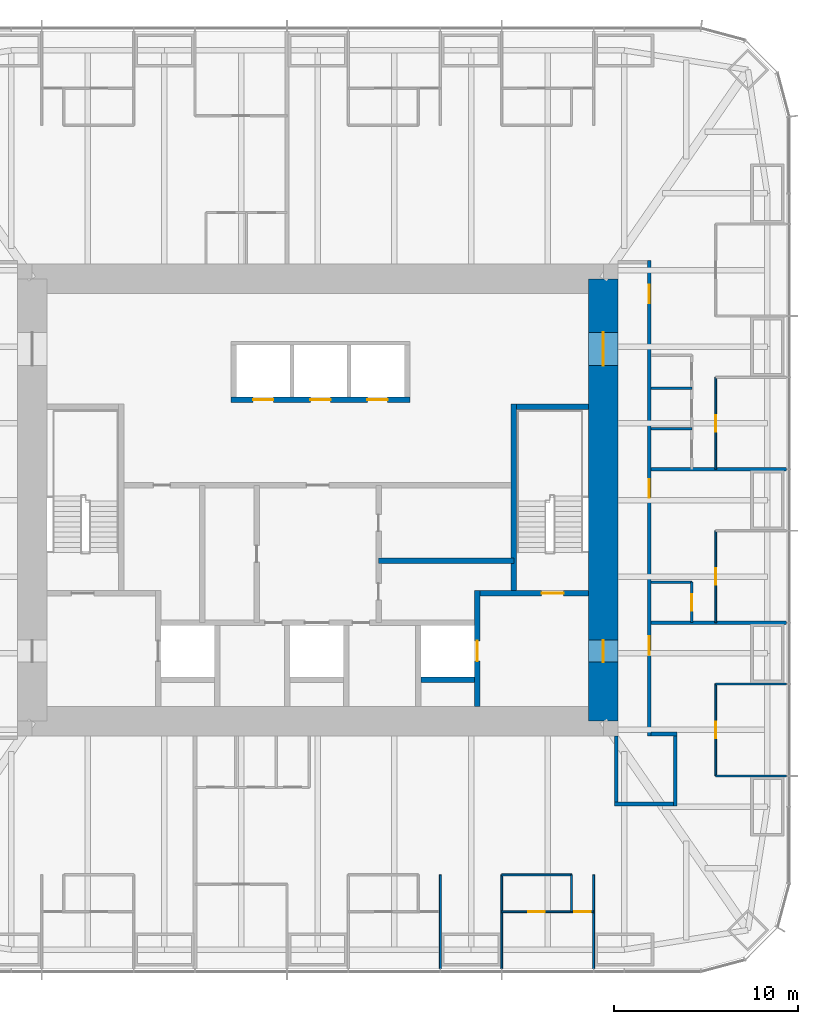
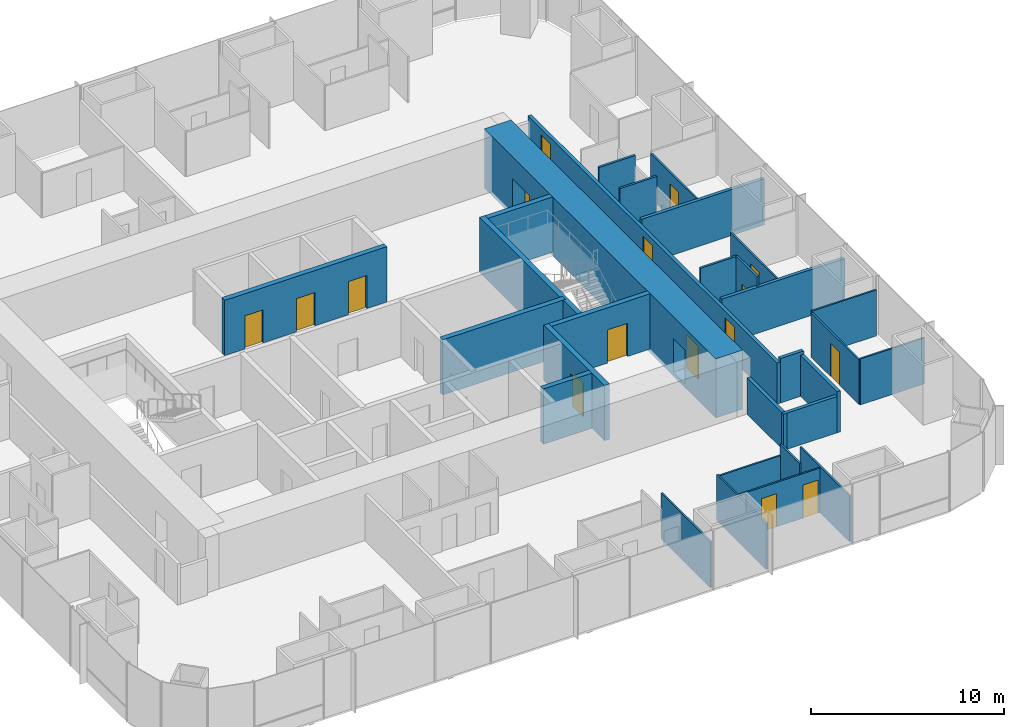
# One storey, part 10 of 13: 30 walls, 16 doors, 16 openings.
"""IFC4 building model written with IfcOpenShell, lengths in metres."""

from ifc_helpers import new_model, si_unit, direction, frame, frame_2d, origin, place, context, subcontext, project, spatial, rectangle, extrude, material, layer, layer_set, type_object, element, fill, save


model = new_model("IFC4")

# Units and contexts
model_context = context("Model", 3, precision=1e-05, world=origin(), true_north=direction((0.0, 1.0)))
body_context = subcontext(model_context, "Body", "Model", "MODEL_VIEW")
ifc_project = project(units=[si_unit("LENGTHUNIT", "METRE"), si_unit("AREAUNIT", "SQUARE_METRE"), si_unit("VOLUMEUNIT", "CUBIC_METRE"), si_unit("PLANEANGLEUNIT", "RADIAN"), si_unit("MASSUNIT", "GRAM", prefix="KILO")], contexts=[model_context])

# Site, building, storey
site_placement = place(None, origin())
site = spatial("IfcSite", under=ifc_project, at=site_placement, CompositionType="ELEMENT")
building_placement = place(site_placement, origin())
building = spatial("IfcBuilding", under=site, at=building_placement, Name="Khuree Lantern Residences", CompositionType="ELEMENT")
storey_placement = place(building_placement, frame((0.0, 0.0, 267.0)))
storey = spatial("IfcBuildingStorey", under=building, at=storey_placement, Name="L67", CompositionType="ELEMENT", Elevation=267.0)

# Wall, opening, door
ifc_material_1 = material(Name="Moisture-resistant gypsum board on steel studs", Category="steel")
ifc_layer_1 = layer(ifc_material_1, 0.125)
ifc_layer_set_1 = layer_set([ifc_layer_1], Name="BATHROOM WALL BTW125")
wall_type_1 = type_object("IfcWallType", Name="BATHROOM WALL BTW125", PredefinedType="PARTITIONING", material=ifc_layer_set_1)
wall_1_placement = place(storey_placement, frame((20.300048828125, -6.656005859375, 0.0), z_axis=(0.0, 0.0, 1.0), x_axis=(0.0, 1.0, 0.0)))
wall_1 = element("IfcWall", 1, at=wall_1_placement, inside=storey, type_object=wall_type_1, Name="L67 BATHROOM WALL 01", PredefinedType="PARTITIONING", context=body_context, shape_type="SweptSolid", body=[
    extrude(rectangle(XDim=2.199951171875, YDim=0.125, at=frame_2d((1.10009765625, 0.0))), origin(), (0.0, 0.0, 1.0), 3.5),
])
opening_1_placement = place(wall_1_placement, frame((0.64990234375, 0.0, 0.0)))
opening_1 = element("IfcOpeningElement", 2, at=opening_1_placement, cuts=wall_1, Name="Opening 67-021", PredefinedType="OPENING", context=body_context, shape_type="SweptSolid", body=[
    extrude(rectangle(XDim=0.89990234375, YDim=2.10009765625, at=frame_2d((0.449951171875, 1.050048828125))), frame((0.0, 0.072509765625, 0.0), z_axis=(0.0, -1.0, 0.0), x_axis=(1.0, 0.0, 0.0)), (0.0, 0.0, 1.0), 0.14501953125),
])
ifc_material_2 = material(Name="Timber door leaf in hardwood frame", Category="wood")
door_type_1 = type_object("IfcDoorType", Name="BATHROOM DOOR 900X2100", OperationType="SINGLE_SWING_LEFT", PredefinedType="DOOR", material=ifc_material_2)
door_1_placement = place(opening_1_placement, origin())
door_1 = element("IfcDoor", 3, at=door_1_placement, inside=storey, type_object=door_type_1, Name="Bathroom door 67-021", OperationType="SINGLE_SWING_LEFT", OverallHeight=2.10009765625, OverallWidth=0.89990234375, PredefinedType="DOOR", context=body_context, shape_type="SweptSolid", body=[
    extrude(rectangle(XDim=0.89990234375, YDim=2.10009765625, at=frame_2d((0.449951171875, 1.050048828125))), frame((0.0, 0.02490234375, 0.0), z_axis=(0.0, -1.0, 0.0), x_axis=(1.0, 0.0, 0.0)), (0.0, 0.0, 1.0), 0.050048828125),
])
fill(opening_1, door_1)

# Walls
for number, where, z_axis, x_axis, name in (
    (4, (18.10009765625, -4.4560546875, 0.0), (0.0, 0.0, 1.0), (1.0, 0.0, 0.0), "L67 BATHROOM WALL 01"),
    (5, (18.10009765625, 3.864013671875, 0.0), (0.0, 0.0, 1.0), (1.0, 0.0, 0.0), "L67 BATHROOM WALL 02"),
    (6, (18.10009765625, 6.06396484375, 0.0), (0.0, 0.0, 1.0), (1.0, 0.0, 0.0), "L67 BATHROOM WALL 02"),
):
    element("IfcWall", number, at=place(storey_placement, frame(where, z_axis=z_axis, x_axis=x_axis)), inside=storey, type_object=wall_type_1, Name=name, PredefinedType="PARTITIONING", context=body_context, shape_type="SweptSolid", body=[
        extrude(rectangle(XDim=2.199951171875, YDim=0.125, at=frame_2d((1.10009765625, 0.0))), origin(), (0.0, 0.0, 1.0), 3.5),
    ])

# Wall, opening, door
ifc_material_3 = material(Name="Dense concrete blockwork", Category="masonry")
ifc_layer_2 = layer(ifc_material_3, 0.300048828125)
ifc_layer_set_2 = layer_set([ifc_layer_2], Name="CORE PARTITION WALL CPW300 EI 120")
wall_type_2 = type_object("IfcWallType", Name="CORE PARTITION WALL CPW300 EI 120", PredefinedType="PARTITIONING", material=ifc_layer_set_2)
wall_2_placement = place(storey_placement, frame((8.64990234375, -11.199951171875, 0.0), z_axis=(0.0, 0.0, 1.0), x_axis=(0.0, 1.0, 0.0)))
wall_2 = element("IfcWall", 7, at=wall_2_placement, inside=storey, type_object=wall_type_2, Name="L67 CORE WALL FL2E", PredefinedType="PARTITIONING", context=body_context, shape_type="SweptSolid", body=[
    extrude(rectangle(XDim=6.300048828125, YDim=0.300048828125, at=frame_2d((3.14990234375, 0.0))), origin(), (0.0, 0.0, 1.0), 3.5),
])
opening_2_placement = place(wall_2_placement, frame((2.449951171875, 0.0, 0.0)))
opening_2 = element("IfcOpeningElement", 8, at=opening_2_placement, cuts=wall_2, Name="Opening 67-008", PredefinedType="OPENING", context=body_context, shape_type="SweptSolid", body=[
    extrude(rectangle(XDim=1.10009765625, YDim=2.10009765625, at=frame_2d((0.550048828125, 1.050048828125))), frame((0.0, 0.16015625, 0.0), z_axis=(0.0, -1.0, 0.0), x_axis=(1.0, 0.0, 0.0)), (0.0, 0.0, 1.0), 0.320068359375),
])
ifc_material_4 = material(Name="Stainless steel lift landing door", Category="steel")
door_type_2 = type_object("IfcDoorType", Name="LIFT LANDING DOOR 1100X2100 E 120", OperationType="DOUBLE_DOOR_SLIDING", PredefinedType="DOOR", material=ifc_material_4)
door_2_placement = place(opening_2_placement, origin())
door_2 = element("IfcDoor", 9, at=door_2_placement, inside=storey, type_object=door_type_2, Name="Landing door FL2 67-008", OperationType="DOUBLE_DOOR_SLIDING", OverallHeight=2.10009765625, OverallWidth=1.10009765625, PredefinedType="DOOR", context=body_context, shape_type="SweptSolid", body=[
    extrude(rectangle(XDim=1.10009765625, YDim=2.10009765625, at=frame_2d((0.550048828125, 1.050048828125))), frame((0.0, 0.02490234375, 0.0), z_axis=(0.0, -1.0, 0.0), x_axis=(1.0, 0.0, 0.0)), (0.0, 0.0, 1.0), 0.050048828125),
])
fill(opening_2, door_2)

# Wall
wall_3_placement = place(storey_placement, frame((5.60009765625, -9.75, 0.0), z_axis=(0.0, 0.0, 1.0), x_axis=(1.0, 0.0, 0.0)))
element("IfcWall", 10, at=wall_3_placement, inside=storey, type_object=wall_type_2, Name="L67 CORE WALL FL2S", PredefinedType="PARTITIONING", context=body_context, shape_type="SweptSolid", body=[
    extrude(rectangle(XDim=2.89990234375, YDim=0.300048828125, at=frame_2d((1.449951171875, 0.0))), origin(), (0.0, 0.0, 1.0), 3.5),
])

# Wall, openings, doors
wall_4_placement = place(storey_placement, frame((-4.699951171875, 5.449951171875, 0.0), z_axis=(0.0, 0.0, 1.0), x_axis=(1.0, 0.0, 0.0)))
wall_4 = element("IfcWall", 11, at=wall_4_placement, inside=storey, type_object=wall_type_2, Name="L67 CORE WALL PHS", PredefinedType="PARTITIONING", context=body_context, shape_type="SweptSolid", body=[
    extrude(rectangle(XDim=9.699951171875, YDim=0.300048828125, at=frame_2d((4.85009765625, 0.0))), origin(), (0.0, 0.0, 1.0), 3.5),
])
opening_3_placement = place(wall_4_placement, frame((1.199951171875, 0.0, 0.0)))
opening_3 = element("IfcOpeningElement", 12, at=opening_3_placement, cuts=wall_4, Name="Opening 67-009", PredefinedType="OPENING", context=body_context, shape_type="SweptSolid", body=[
    extrude(rectangle(XDim=1.10009765625, YDim=2.10009765625, at=frame_2d((0.550048828125, 1.050048828125))), frame((0.0, 0.16015625, 0.0), z_axis=(0.0, -1.0, 0.0), x_axis=(1.0, 0.0, 0.0)), (0.0, 0.0, 1.0), 0.320068359375),
])
opening_4_placement = place(wall_4_placement, frame((4.300048828125, 0.0, 0.0)))
opening_4 = element("IfcOpeningElement", 13, at=opening_4_placement, cuts=wall_4, Name="Opening 67-010", PredefinedType="OPENING", context=body_context, shape_type="SweptSolid", body=[
    extrude(rectangle(XDim=1.10009765625, YDim=2.10009765625, at=frame_2d((0.550048828125, 1.050048828125))), frame((0.0, 0.16015625, 0.0), z_axis=(0.0, -1.0, 0.0), x_axis=(1.0, 0.0, 0.0)), (0.0, 0.0, 1.0), 0.320068359375),
])
opening_5_placement = place(wall_4_placement, frame((7.39990234375, 0.0, 0.0)))
opening_5 = element("IfcOpeningElement", 14, at=opening_5_placement, cuts=wall_4, Name="Opening 67-011", PredefinedType="OPENING", context=body_context, shape_type="SweptSolid", body=[
    extrude(rectangle(XDim=1.10009765625, YDim=2.10009765625, at=frame_2d((0.550048828125, 1.050048828125))), frame((0.0, 0.16015625, 0.0), z_axis=(0.0, -1.0, 0.0), x_axis=(1.0, 0.0, 0.0)), (0.0, 0.0, 1.0), 0.320068359375),
])
door_type_3 = type_object("IfcDoorType", Name="LIFT LANDING DOOR 1100X2100 E 60", OperationType="DOUBLE_DOOR_SLIDING", PredefinedType="DOOR", material=ifc_material_4)
door_3_placement = place(opening_3_placement, origin())
door_3 = element("IfcDoor", 15, at=door_3_placement, inside=storey, type_object=door_type_3, Name="Landing door PH1 67-009", OperationType="DOUBLE_DOOR_SLIDING", OverallHeight=2.10009765625, OverallWidth=1.10009765625, PredefinedType="DOOR", context=body_context, shape_type="SweptSolid", body=[
    extrude(rectangle(XDim=1.10009765625, YDim=2.10009765625, at=frame_2d((0.550048828125, 1.050048828125))), frame((0.0, 0.02490234375, 0.0), z_axis=(0.0, -1.0, 0.0), x_axis=(1.0, 0.0, 0.0)), (0.0, 0.0, 1.0), 0.050048828125),
])
fill(opening_3, door_3)
door_4_placement = place(opening_4_placement, origin())
door_4 = element("IfcDoor", 16, at=door_4_placement, inside=storey, type_object=door_type_3, Name="Landing door PH2 67-010", OperationType="DOUBLE_DOOR_SLIDING", OverallHeight=2.10009765625, OverallWidth=1.10009765625, PredefinedType="DOOR", context=body_context, shape_type="SweptSolid", body=[
    extrude(rectangle(XDim=1.10009765625, YDim=2.10009765625, at=frame_2d((0.550048828125, 1.050048828125))), frame((0.0, 0.02490234375, 0.0), z_axis=(0.0, -1.0, 0.0), x_axis=(1.0, 0.0, 0.0)), (0.0, 0.0, 1.0), 0.050048828125),
])
fill(opening_4, door_4)
door_5_placement = place(opening_5_placement, origin())
door_5 = element("IfcDoor", 17, at=door_5_placement, inside=storey, type_object=door_type_3, Name="Landing door PH3 67-011", OperationType="DOUBLE_DOOR_SLIDING", OverallHeight=2.10009765625, OverallWidth=1.10009765625, PredefinedType="DOOR", context=body_context, shape_type="SweptSolid", body=[
    extrude(rectangle(XDim=1.10009765625, YDim=2.10009765625, at=frame_2d((0.550048828125, 1.050048828125))), frame((0.0, 0.02490234375, 0.0), z_axis=(0.0, -1.0, 0.0), x_axis=(1.0, 0.0, 0.0)), (0.0, 0.0, 1.0), 0.050048828125),
])
fill(opening_5, door_5)

# Walls
wall_5_placement = place(storey_placement, frame((10.64990234375, -3.2880859375, 0.0), z_axis=(0.0, 0.0, 1.0), x_axis=(-1.0, 0.0, 0.0)))
element("IfcWall", 18, at=wall_5_placement, inside=storey, type_object=wall_type_2, Name="L67 CORE WALL EX", PredefinedType="PARTITIONING", context=body_context, shape_type="SweptSolid", body=[
    extrude(rectangle(XDim=7.349853515625, YDim=0.300048828125, at=frame_2d((3.6748046875, 0.0))), origin(), (0.0, 0.0, 1.0), 3.5),
])
ifc_material_5 = material(Name="Gypsum board on steel studs", Category="steel")
ifc_layer_3 = layer(ifc_material_5, 0.199951171875)
ifc_layer_set_3 = layer_set([ifc_layer_3], Name="CORRIDOR WALL CRW200 EI 60")
wall_type_3 = type_object("IfcWallType", Name="CORRIDOR WALL CRW200 EI 60", PredefinedType="PARTITIONING", material=ifc_layer_set_3)
wall_6_placement = place(storey_placement, frame((18.10009765625, -12.699951171875, 0.0), z_axis=(0.0, 0.0, 1.0), x_axis=(1.0, 0.0, 0.0)))
element("IfcWall", 19, at=wall_6_placement, inside=storey, type_object=wall_type_3, Name="L67 RESIDENTS LOUNGE WALL", PredefinedType="PARTITIONING", context=body_context, shape_type="SweptSolid", body=[
    extrude(rectangle(XDim=1.39990234375, YDim=0.199951171875, at=frame_2d((0.699951171875, 0.0))), origin(), (0.0, 0.0, 1.0), 2.81005859375),
])
wall_7_placement = place(storey_placement, frame((19.39990234375, -12.60009765625, 0.0), z_axis=(0.0, 0.0, 1.0), x_axis=(0.0, -1.0, 0.0)))
element("IfcWall", 20, at=wall_7_placement, inside=storey, type_object=wall_type_3, Name="L67 RESIDENTS LOUNGE WALL", PredefinedType="PARTITIONING", context=body_context, shape_type="SweptSolid", body=[
    extrude(rectangle(XDim=4.0, YDim=0.199951171875, at=frame_2d((2.0, 0.0))), origin(), (0.0, 0.0, 1.0), 2.60009765625),
])
wall_8_placement = place(storey_placement, frame((19.300048828125, -16.5, 0.0), z_axis=(0.0, 0.0, 1.0), x_axis=(-1.0, 0.0, 0.0)))
element("IfcWall", 21, at=wall_8_placement, inside=storey, type_object=wall_type_3, Name="L67 RESIDENTS LOUNGE WALL", PredefinedType="PARTITIONING", context=body_context, shape_type="SweptSolid", body=[
    extrude(rectangle(XDim=3.199951171875, YDim=0.199951171875, at=frame_2d((1.60009765625, 0.0))), origin(), (0.0, 0.0, 1.0), 2.300048828125),
])
wall_9_placement = place(storey_placement, frame((16.199951171875, -16.60009765625, 0.0), z_axis=(0.0, 0.0, 1.0), x_axis=(0.0, 1.0, 0.0)))
element("IfcWall", 22, at=wall_9_placement, inside=storey, type_object=wall_type_3, Name="L67 RESIDENTS LOUNGE WALL", PredefinedType="PARTITIONING", context=body_context, shape_type="SweptSolid", body=[
    extrude(rectangle(XDim=3.800048828125, YDim=0.199951171875, at=frame_2d((1.89990234375, 0.0))), origin(), (0.0, 0.0, 1.0), 2.300048828125),
])

# Wall, openings, doors
wall_10_placement = place(storey_placement, frame((18.0, -12.800048828125, 0.0), z_axis=(0.0, 0.0, 1.0), x_axis=(0.0, 1.0, 0.0)))
wall_10 = element("IfcWall", 23, at=wall_10_placement, inside=storey, type_object=wall_type_3, Name="L67 CORRIDOR WALL EAST 1", PredefinedType="PARTITIONING", context=body_context, shape_type="SweptSolid", body=[
    extrude(rectangle(XDim=25.800048828125, YDim=0.199951171875, at=frame_2d((12.89990234375, 0.0))), origin(), (0.0, 0.0, 1.0), 2.60009765625),
])
opening_6_placement = place(wall_10_placement, frame((12.9140625, 0.0, 0.0)))
opening_6 = element("IfcOpeningElement", 24, at=opening_6_placement, cuts=wall_10, Name="Opening 67-022", PredefinedType="OPENING", context=body_context, shape_type="SweptSolid", body=[
    extrude(rectangle(XDim=1.0, YDim=2.199951171875, at=frame_2d((0.5, 1.10009765625))), frame((0.0, 0.10986328125, 0.0), z_axis=(0.0, -1.0, 0.0), x_axis=(1.0, 0.0, 0.0)), (0.0, 0.0, 1.0), 0.219970703125),
])
opening_7_placement = place(wall_10_placement, frame((23.48388671875, 0.0, 0.0)))
opening_7 = element("IfcOpeningElement", 25, at=opening_7_placement, cuts=wall_10, Name="Opening 67-032", PredefinedType="OPENING", context=body_context, shape_type="SweptSolid", body=[
    extrude(rectangle(XDim=1.0, YDim=2.199951171875, at=frame_2d((0.5, 1.10009765625))), frame((0.0, 0.10986328125, 0.0), z_axis=(0.0, -1.0, 0.0), x_axis=(1.0, 0.0, 0.0)), (0.0, 0.0, 1.0), 0.219970703125),
])
opening_8_placement = place(wall_10_placement, frame((4.39990234375, 0.0, 0.0)))
opening_8 = element("IfcOpeningElement", 26, at=opening_8_placement, cuts=wall_10, Name="Opening 67-058", PredefinedType="OPENING", context=body_context, shape_type="SweptSolid", body=[
    extrude(rectangle(XDim=1.0, YDim=2.199951171875, at=frame_2d((0.5, 1.10009765625))), frame((0.0, 0.10986328125, 0.0), z_axis=(0.0, -1.0, 0.0), x_axis=(1.0, 0.0, 0.0)), (0.0, 0.0, 1.0), 0.219970703125),
])
door_type_4 = type_object("IfcDoorType", Name="APARTMENT ENTRANCE DOOR 1000X2200 EI 30S", OperationType="SINGLE_SWING_LEFT", PredefinedType="DOOR", material=ifc_material_2)
door_6_placement = place(opening_6_placement, origin())
door_6 = element("IfcDoor", 27, at=door_6_placement, inside=storey, type_object=door_type_4, Name="Apartment 01 entrance door 67-022", OperationType="SINGLE_SWING_LEFT", OverallHeight=2.199951171875, OverallWidth=1.0, PredefinedType="DOOR", context=body_context, shape_type="SweptSolid", body=[
    extrude(rectangle(XDim=1.0, YDim=2.199951171875, at=frame_2d((0.5, 1.10009765625))), frame((0.0, 0.02490234375, 0.0), z_axis=(0.0, -1.0, 0.0), x_axis=(1.0, 0.0, 0.0)), (0.0, 0.0, 1.0), 0.050048828125),
])
fill(opening_6, door_6)
door_7_placement = place(opening_8_placement, origin())
door_7 = element("IfcDoor", 28, at=door_7_placement, inside=storey, type_object=door_type_4, Name="Apartment 06 entrance door 67-058", OperationType="SINGLE_SWING_LEFT", OverallHeight=2.199951171875, OverallWidth=1.0, PredefinedType="DOOR", context=body_context, shape_type="SweptSolid", body=[
    extrude(rectangle(XDim=1.0, YDim=2.199951171875, at=frame_2d((0.5, 1.10009765625))), frame((0.0, 0.02490234375, 0.0), z_axis=(0.0, -1.0, 0.0), x_axis=(1.0, 0.0, 0.0)), (0.0, 0.0, 1.0), 0.050048828125),
])
fill(opening_8, door_7)
door_type_5 = type_object("IfcDoorType", Name="APARTMENT ENTRANCE DOOR 1000X2200 EI 30S RIGHT HAND", OperationType="SINGLE_SWING_RIGHT", PredefinedType="DOOR", material=ifc_material_2)
door_8_placement = place(opening_7_placement, origin())
door_8 = element("IfcDoor", 29, at=door_8_placement, inside=storey, type_object=door_type_5, Name="Apartment 02 entrance door 67-032", OperationType="SINGLE_SWING_RIGHT", OverallHeight=2.199951171875, OverallWidth=1.0, PredefinedType="DOOR", context=body_context, shape_type="SweptSolid", body=[
    extrude(rectangle(XDim=1.0, YDim=2.199951171875, at=frame_2d((0.5, 1.10009765625))), frame((0.0, 0.02490234375, 0.0), z_axis=(0.0, -1.0, 0.0), x_axis=(1.0, 0.0, 0.0)), (0.0, 0.0, 1.0), 0.050048828125),
])
fill(opening_7, door_8)

ifc_material_6 = material(Name="Concrete C50/60", Category="concrete")
ifc_layer_4 = layer(ifc_material_6, 1.60009765625)
ifc_layer_set_4 = layer_set([ifc_layer_4], Name="CW1600-C50 CORE WALL C50 1600")
wall_type_4 = type_object("IfcWallType", Name="CW1600-C50 CORE WALL C50 1600", PredefinedType="SHEAR", material=ifc_layer_set_4)
wall_11_placement = place(storey_placement, frame((15.5, -12.0, -0.25), z_axis=(0.0, 0.0, 1.0), x_axis=(0.0, 1.0, 0.0)))
wall_11 = element("IfcWall", 30, at=wall_11_placement, inside=storey, type_object=wall_type_4, Name="Core wall E", PredefinedType="SHEAR", context=body_context, shape_type="SweptSolid", body=[
    extrude(rectangle(XDim=24.0, YDim=1.60009765625, at=frame_2d((12.0, 0.0))), origin(), (0.0, 0.0, 1.0), 3.75),
])
opening_9_placement = place(wall_11_placement, frame((3.199951171875, 0.0, 0.25)))
opening_9 = element("IfcOpeningElement", 31, at=opening_9_placement, cuts=wall_11, Name="Opening 67-005", PredefinedType="OPENING", context=body_context, shape_type="SweptSolid", body=[
    extrude(rectangle(XDim=1.199951171875, YDim=2.10009765625, at=frame_2d((0.60009765625, 1.050048828125))), frame((0.0, 0.81005859375, 0.0), z_axis=(0.0, -1.0, 0.0), x_axis=(1.0, 0.0, 0.0)), (0.0, 0.0, 1.0), 1.6201171875),
])
opening_10_placement = place(wall_11_placement, frame((19.300048828125, 0.0, 0.25)))
opening_10 = element("IfcOpeningElement", 32, at=opening_10_placement, cuts=wall_11, Name="Opening 67-006", PredefinedType="OPENING", context=body_context, shape_type="SweptSolid", body=[
    extrude(rectangle(XDim=1.800048828125, YDim=2.10009765625, at=frame_2d((0.89990234375, 1.050048828125))), frame((0.0, 0.81005859375, 0.0), z_axis=(0.0, -1.0, 0.0), x_axis=(1.0, 0.0, 0.0)), (0.0, 0.0, 1.0), 1.6201171875),
])
ifc_material_7 = material(Name="Steel door leaf in steel frame", Category="steel")
door_type_6 = type_object("IfcDoorType", Name="LOBBY DOOR 1200X2100 EI 120", OperationType="SINGLE_SWING_LEFT", PredefinedType="DOOR", material=ifc_material_7)
door_9_placement = place(opening_9_placement, origin())
door_9 = element("IfcDoor", 33, at=door_9_placement, inside=storey, type_object=door_type_6, Name="Firefighting lobby door 67-005", OperationType="SINGLE_SWING_LEFT", OverallHeight=2.10009765625, OverallWidth=1.199951171875, PredefinedType="DOOR", context=body_context, shape_type="SweptSolid", body=[
    extrude(rectangle(XDim=1.199951171875, YDim=2.10009765625, at=frame_2d((0.60009765625, 1.050048828125))), frame((0.0, 0.02490234375, 0.0), z_axis=(0.0, -1.0, 0.0), x_axis=(1.0, 0.0, 0.0)), (0.0, 0.0, 1.0), 0.050048828125),
])
fill(opening_9, door_9)
door_type_7 = type_object("IfcDoorType", Name="LOBBY DOUBLE DOOR 1800X2100 EI 60", OperationType="DOUBLE_DOOR_SINGLE_SWING", PredefinedType="DOOR", material=ifc_material_7)
door_10_placement = place(opening_10_placement, origin())
door_10 = element("IfcDoor", 34, at=door_10_placement, inside=storey, type_object=door_type_7, Name="Lift lobby door 67-006", OperationType="DOUBLE_DOOR_SINGLE_SWING", OverallHeight=2.10009765625, OverallWidth=1.800048828125, PredefinedType="DOOR", context=body_context, shape_type="SweptSolid", body=[
    extrude(rectangle(XDim=1.800048828125, YDim=2.10009765625, at=frame_2d((0.89990234375, 1.050048828125))), frame((0.0, 0.02490234375, 0.0), z_axis=(0.0, -1.0, 0.0), x_axis=(1.0, 0.0, 0.0)), (0.0, 0.0, 1.0), 0.050048828125),
])
fill(opening_10, door_10)

# Walls
ifc_layer_5 = layer(ifc_material_5, 0.199951171875)
ifc_layer_set_5 = layer_set([ifc_layer_5], Name="DEMISING WALL DMW200 EI 90")
wall_type_5 = type_object("IfcWallType", Name="DEMISING WALL DMW200 EI 90", PredefinedType="PARTITIONING", material=ifc_layer_set_5)
for number, where, z_axis, x_axis, name in (
    (35, (18.10009765625, -6.656005859375, 0.0), (0.0, 0.0, 1.0), (1.0, 0.0, 0.0), "L67 DEMISING WALL 01"),
    (36, (18.10009765625, 1.6640625, 0.0), (0.0, 0.0, 1.0), (1.0, 0.0, 0.0), "L67 DEMISING WALL 02"),
):
    element("IfcWall", number, at=place(storey_placement, frame(where, z_axis=z_axis, x_axis=x_axis)), inside=storey, type_object=wall_type_5, Name=name, PredefinedType="PARTITIONING", context=body_context, shape_type="SweptSolid", body=[
        extrude(rectangle(XDim=7.349853515625, YDim=0.199951171875, at=frame_2d((3.6748046875, 0.0))), origin(), (0.0, 0.0, 1.0), 2.909912109375),
    ])
ifc_layer_6 = layer(ifc_material_5, 0.10009765625)
ifc_layer_set_6 = layer_set([ifc_layer_6], Name="PARTITION PT100")
wall_type_6 = type_object("IfcWallType", Name="PARTITION PT100", PredefinedType="PARTITIONING", material=ifc_layer_set_6)
for number, where, z_axis, x_axis, name in (
    (37, (6.656005859375, -20.344970703125, 0.0), (0.0, 0.0, 1.0), (0.0, -1.0, 0.0), "L67 PARTITION 06"),
    (38, (9.98388671875, -20.344970703125, 0.0), (0.0, 0.0, 1.0), (0.0, -1.0, 0.0), "L67 PARTITION 06"),
    (39, (14.97607421875, -20.344970703125, 0.0), (0.0, 0.0, 1.0), (0.0, -1.0, 0.0), "L67 PARTITION 06"),
):
    element("IfcWall", number, at=place(storey_placement, frame(where, z_axis=z_axis, x_axis=x_axis)), inside=storey, type_object=wall_type_6, Name=name, PredefinedType="PARTITIONING", context=body_context, shape_type="SweptSolid", body=[
        extrude(rectangle(XDim=5.10498046875, YDim=0.10009765625, at=frame_2d((2.552490234375, 0.0))), origin(), (0.0, 0.0, 1.0), 2.909912109375),
    ])
for number, where, z_axis, x_axis, name in (
    (40, (21.60009765625, -14.97607421875, 0.0), (0.0, 0.0, 1.0), (1.0, 0.0, 0.0), "L67 PARTITION 06"),
    (41, (21.60009765625, -9.98388671875, 0.0), (0.0, 0.0, 1.0), (1.0, 0.0, 0.0), "L67 PARTITION 06"),
):
    element("IfcWall", number, at=place(storey_placement, frame(where, z_axis=z_axis, x_axis=x_axis)), inside=storey, type_object=wall_type_6, Name=name, PredefinedType="PARTITIONING", context=body_context, shape_type="SweptSolid", body=[
        extrude(rectangle(XDim=3.849853515625, YDim=0.10009765625, at=frame_2d((1.9248046875, 0.0))), origin(), (0.0, 0.0, 1.0), 2.909912109375),
    ])

# Wall, opening, door
wall_12_placement = place(storey_placement, frame((21.60009765625, -6.656005859375, 0.0), z_axis=(0.0, 0.0, 1.0), x_axis=(0.0, 1.0, 0.0)))
wall_12 = element("IfcWall", 42, at=wall_12_placement, inside=storey, type_object=wall_type_6, Name="L67 PARTITION 01", PredefinedType="PARTITIONING", context=body_context, shape_type="SweptSolid", body=[
    extrude(rectangle(XDim=4.991943359375, YDim=0.10009765625, at=frame_2d((2.49609375, 0.0))), origin(), (0.0, 0.0, 1.0), 2.81005859375),
])
opening_11_placement = place(wall_12_placement, frame((2.0458984375, 0.0, 0.0)))
opening_11 = element("IfcOpeningElement", 43, at=opening_11_placement, cuts=wall_12, Name="Opening 67-020", PredefinedType="OPENING", context=body_context, shape_type="SweptSolid", body=[
    extrude(rectangle(XDim=0.89990234375, YDim=2.10009765625, at=frame_2d((0.449951171875, 1.050048828125))), frame((0.0, 0.06005859375, 0.0), z_axis=(0.0, -1.0, 0.0), x_axis=(1.0, 0.0, 0.0)), (0.0, 0.0, 1.0), 0.1201171875),
])
door_type_8 = type_object("IfcDoorType", Name="BEDROOM DOOR 900X2100", OperationType="SINGLE_SWING_LEFT", PredefinedType="DOOR", material=ifc_material_2)
door_11_placement = place(opening_11_placement, origin())
door_11 = element("IfcDoor", 44, at=door_11_placement, inside=storey, type_object=door_type_8, Name="Bedroom door 67-020", OperationType="SINGLE_SWING_LEFT", OverallHeight=2.10009765625, OverallWidth=0.89990234375, PredefinedType="DOOR", context=body_context, shape_type="SweptSolid", body=[
    extrude(rectangle(XDim=0.89990234375, YDim=2.10009765625, at=frame_2d((0.449951171875, 1.050048828125))), frame((0.0, 0.02490234375, 0.0), z_axis=(0.0, -1.0, 0.0), x_axis=(1.0, 0.0, 0.0)), (0.0, 0.0, 1.0), 0.050048828125),
])
fill(opening_11, door_11)

wall_13_placement = place(storey_placement, frame((21.60009765625, 1.6640625, 0.0), z_axis=(0.0, 0.0, 1.0), x_axis=(0.0, 1.0, 0.0)))
wall_13 = element("IfcWall", 45, at=wall_13_placement, inside=storey, type_object=wall_type_6, Name="L67 PARTITION 02", PredefinedType="PARTITIONING", context=body_context, shape_type="SweptSolid", body=[
    extrude(rectangle(XDim=4.991943359375, YDim=0.10009765625, at=frame_2d((2.49609375, 0.0))), origin(), (0.0, 0.0, 1.0), 2.81005859375),
])
opening_12_placement = place(wall_13_placement, frame((2.0458984375, 0.0, 0.0)))
opening_12 = element("IfcOpeningElement", 46, at=opening_12_placement, cuts=wall_13, Name="Opening 67-023", PredefinedType="OPENING", context=body_context, shape_type="SweptSolid", body=[
    extrude(rectangle(XDim=0.89990234375, YDim=2.10009765625, at=frame_2d((0.449951171875, 1.050048828125))), frame((0.0, 0.06005859375, 0.0), z_axis=(0.0, -1.0, 0.0), x_axis=(1.0, 0.0, 0.0)), (0.0, 0.0, 1.0), 0.1201171875),
])
door_12_placement = place(opening_12_placement, origin())
door_12 = element("IfcDoor", 47, at=door_12_placement, inside=storey, type_object=door_type_8, Name="Bedroom door 67-023", OperationType="SINGLE_SWING_LEFT", OverallHeight=2.10009765625, OverallWidth=0.89990234375, PredefinedType="DOOR", context=body_context, shape_type="SweptSolid", body=[
    extrude(rectangle(XDim=0.89990234375, YDim=2.10009765625, at=frame_2d((0.449951171875, 1.050048828125))), frame((0.0, 0.02490234375, 0.0), z_axis=(0.0, -1.0, 0.0), x_axis=(1.0, 0.0, 0.0)), (0.0, 0.0, 1.0), 0.050048828125),
])
fill(opening_12, door_12)

# Wall, openings, doors
wall_14_placement = place(storey_placement, frame((9.98388671875, -22.344970703125, 0.0), z_axis=(0.0, 0.0, 1.0), x_axis=(1.0, 0.0, 0.0)))
wall_14 = element("IfcWall", 48, at=wall_14_placement, inside=storey, type_object=wall_type_6, Name="L67 PARTITION 06", PredefinedType="PARTITIONING", context=body_context, shape_type="SweptSolid", body=[
    extrude(rectangle(XDim=4.9921875, YDim=0.10009765625, at=frame_2d((2.49609375, 0.0))), origin(), (0.0, 0.0, 1.0), 2.81005859375),
])
opening_13_placement = place(wall_14_placement, frame((3.94189453125, 0.0, 0.0)))
opening_13 = element("IfcOpeningElement", 49, at=opening_13_placement, cuts=wall_14, Name="Opening 67-052", PredefinedType="OPENING", context=body_context, shape_type="SweptSolid", body=[
    extrude(rectangle(XDim=0.89990234375, YDim=2.10009765625, at=frame_2d((0.449951171875, 1.050048828125))), frame((0.0, 0.06005859375, 0.0), z_axis=(0.0, -1.0, 0.0), x_axis=(1.0, 0.0, 0.0)), (0.0, 0.0, 1.0), 0.1201171875),
])
opening_14_placement = place(wall_14_placement, frame((1.446044921875, 0.0, 0.0)))
opening_14 = element("IfcOpeningElement", 50, at=opening_14_placement, cuts=wall_14, Name="Opening 67-053", PredefinedType="OPENING", context=body_context, shape_type="SweptSolid", body=[
    extrude(rectangle(XDim=0.89990234375, YDim=2.10009765625, at=frame_2d((0.449951171875, 1.050048828125))), frame((0.0, 0.06005859375, 0.0), z_axis=(0.0, -1.0, 0.0), x_axis=(1.0, 0.0, 0.0)), (0.0, 0.0, 1.0), 0.1201171875),
])
door_13_placement = place(opening_13_placement, origin())
door_13 = element("IfcDoor", 51, at=door_13_placement, inside=storey, type_object=door_type_8, Name="Bedroom door 67-052", OperationType="SINGLE_SWING_LEFT", OverallHeight=2.10009765625, OverallWidth=0.89990234375, PredefinedType="DOOR", context=body_context, shape_type="SweptSolid", body=[
    extrude(rectangle(XDim=0.89990234375, YDim=2.10009765625, at=frame_2d((0.449951171875, 1.050048828125))), frame((0.0, 0.02490234375, 0.0), z_axis=(0.0, -1.0, 0.0), x_axis=(1.0, 0.0, 0.0)), (0.0, 0.0, 1.0), 0.050048828125),
])
fill(opening_13, door_13)
door_type_9 = type_object("IfcDoorType", Name="DOOR 900X2100", OperationType="SINGLE_SWING_LEFT", PredefinedType="DOOR", material=ifc_material_2)
door_14_placement = place(opening_14_placement, origin())
door_14 = element("IfcDoor", 52, at=door_14_placement, inside=storey, type_object=door_type_9, Name="Wardrobe door 67-053", OperationType="SINGLE_SWING_LEFT", OverallHeight=2.10009765625, OverallWidth=0.89990234375, PredefinedType="DOOR", context=body_context, shape_type="SweptSolid", body=[
    extrude(rectangle(XDim=0.89990234375, YDim=2.10009765625, at=frame_2d((0.449951171875, 1.050048828125))), frame((0.0, 0.02490234375, 0.0), z_axis=(0.0, -1.0, 0.0), x_axis=(1.0, 0.0, 0.0)), (0.0, 0.0, 1.0), 0.050048828125),
])
fill(opening_14, door_14)

# Walls
wall_15_placement = place(storey_placement, frame((13.77587890625, -20.344970703125, 0.0), z_axis=(0.0, 0.0, 1.0), x_axis=(0.0, -1.0, 0.0)))
element("IfcWall", 53, at=wall_15_placement, inside=storey, type_object=wall_type_6, Name="L67 PARTITION 06", PredefinedType="PARTITIONING", context=body_context, shape_type="SweptSolid", body=[
    extrude(rectangle(XDim=2.0, YDim=0.10009765625, at=frame_2d((1.0, 0.0))), origin(), (0.0, 0.0, 1.0), 3.5),
])
wall_16_placement = place(storey_placement, frame((9.98388671875, -20.344970703125, 0.0), z_axis=(0.0, 0.0, 1.0), x_axis=(1.0, 0.0, 0.0)))
element("IfcWall", 54, at=wall_16_placement, inside=storey, type_object=wall_type_6, Name="L67 PARTITION 06", PredefinedType="PARTITIONING", context=body_context, shape_type="SweptSolid", body=[
    extrude(rectangle(XDim=3.7919921875, YDim=0.10009765625, at=frame_2d((1.89599609375, 0.0))), origin(), (0.0, 0.0, 1.0), 2.81005859375),
])

# Wall, opening, door
wall_17_placement = place(storey_placement, frame((21.60009765625, -14.97607421875, 0.0), z_axis=(0.0, 0.0, 1.0), x_axis=(0.0, 1.0, 0.0)))
wall_17 = element("IfcWall", 55, at=wall_17_placement, inside=storey, type_object=wall_type_6, Name="L67 PARTITION 06", PredefinedType="PARTITIONING", context=body_context, shape_type="SweptSolid", body=[
    extrude(rectangle(XDim=4.9921875, YDim=0.10009765625, at=frame_2d((2.49609375, 0.0))), origin(), (0.0, 0.0, 1.0), 2.81005859375),
])
opening_15_placement = place(wall_17_placement, frame((2.0458984375, 0.0, 0.0)))
opening_15 = element("IfcOpeningElement", 56, at=opening_15_placement, cuts=wall_17, Name="Opening 67-054", PredefinedType="OPENING", context=body_context, shape_type="SweptSolid", body=[
    extrude(rectangle(XDim=0.89990234375, YDim=2.10009765625, at=frame_2d((0.449951171875, 1.050048828125))), frame((0.0, 0.06005859375, 0.0), z_axis=(0.0, -1.0, 0.0), x_axis=(1.0, 0.0, 0.0)), (0.0, 0.0, 1.0), 0.1201171875),
])
door_15_placement = place(opening_15_placement, origin())
door_15 = element("IfcDoor", 57, at=door_15_placement, inside=storey, type_object=door_type_8, Name="Bedroom door 67-054", OperationType="SINGLE_SWING_LEFT", OverallHeight=2.10009765625, OverallWidth=0.89990234375, PredefinedType="DOOR", context=body_context, shape_type="SweptSolid", body=[
    extrude(rectangle(XDim=0.89990234375, YDim=2.10009765625, at=frame_2d((0.449951171875, 1.050048828125))), frame((0.0, 0.02490234375, 0.0), z_axis=(0.0, -1.0, 0.0), x_axis=(1.0, 0.0, 0.0)), (0.0, 0.0, 1.0), 0.050048828125),
])
fill(opening_15, door_15)

# Wall
ifc_layer_7 = layer(ifc_material_6, 0.300048828125)
ifc_layer_set_7 = layer_set([ifc_layer_7], Name="STAIR WALL SRW300 C50/60 REI 240")
wall_type_7 = type_object("IfcWallType", Name="STAIR WALL SRW300 C50/60 REI 240", PredefinedType="SOLIDWALL", material=ifc_layer_set_7)
wall_18_placement = place(storey_placement, frame((10.64990234375, -4.89990234375, 0.0), z_axis=(0.0, 0.0, 1.0), x_axis=(0.0, 1.0, 0.0)))
element("IfcWall", 58, at=wall_18_placement, inside=storey, type_object=wall_type_7, Name="L67 STAIR WALL ST2E", PredefinedType="SOLIDWALL", context=body_context, shape_type="SweptSolid", body=[
    extrude(rectangle(XDim=10.099853515625, YDim=0.300048828125, at=frame_2d((5.0498046875, 0.0))), origin(), (0.0, 0.0, 1.0), 3.5),
])

# Wall, opening, door
wall_19_placement = place(storey_placement, frame((14.699951171875, -5.050048828125, 0.0), z_axis=(0.0, 0.0, 1.0), x_axis=(-1.0, 0.0, 0.0)))
wall_19 = element("IfcWall", 59, at=wall_19_placement, inside=storey, type_object=wall_type_7, Name="L67 STAIR WALL ST2S", PredefinedType="SOLIDWALL", context=body_context, shape_type="SweptSolid", body=[
    extrude(rectangle(XDim=5.89990234375, YDim=0.300048828125, at=frame_2d((2.949951171875, 0.0))), origin(), (0.0, 0.0, 1.0), 3.5),
])
opening_16_placement = place(wall_19_placement, frame((1.35009765625, 0.0, 0.0)))
opening_16 = element("IfcOpeningElement", 60, at=opening_16_placement, cuts=wall_19, Name="Opening 67-004", PredefinedType="OPENING", context=body_context, shape_type="SweptSolid", body=[
    extrude(rectangle(XDim=1.199951171875, YDim=2.10009765625, at=frame_2d((0.60009765625, 1.050048828125))), frame((0.0, 0.16015625, 0.0), z_axis=(0.0, -1.0, 0.0), x_axis=(1.0, 0.0, 0.0)), (0.0, 0.0, 1.0), 0.320068359375),
])
door_type_10 = type_object("IfcDoorType", Name="STAIR DOOR 1200X2100 EI 120", OperationType="SINGLE_SWING_LEFT", PredefinedType="DOOR", material=ifc_material_7)
door_16_placement = place(opening_16_placement, origin())
door_16 = element("IfcDoor", 61, at=door_16_placement, inside=storey, type_object=door_type_10, Name="Stair ST2 door 67-004", OperationType="SINGLE_SWING_LEFT", OverallHeight=2.10009765625, OverallWidth=1.199951171875, PredefinedType="DOOR", context=body_context, shape_type="SweptSolid", body=[
    extrude(rectangle(XDim=1.199951171875, YDim=2.10009765625, at=frame_2d((0.60009765625, 1.050048828125))), frame((0.0, 0.02490234375, 0.0), z_axis=(0.0, -1.0, 0.0), x_axis=(1.0, 0.0, 0.0)), (0.0, 0.0, 1.0), 0.050048828125),
])
fill(opening_16, door_16)

# Wall
wall_20_placement = place(storey_placement, frame((14.699951171875, 5.050048828125, 0.0), z_axis=(0.0, 0.0, 1.0), x_axis=(-1.0, 0.0, 0.0)))
element("IfcWall", 62, at=wall_20_placement, inside=storey, type_object=wall_type_7, Name="L67 STAIR WALL ST2N", PredefinedType="SOLIDWALL", context=body_context, shape_type="SweptSolid", body=[
    extrude(rectangle(XDim=3.89990234375, YDim=0.300048828125, at=frame_2d((1.949951171875, 0.0))), origin(), (0.0, 0.0, 1.0), 3.5),
])

save(model, "model.ifc")
